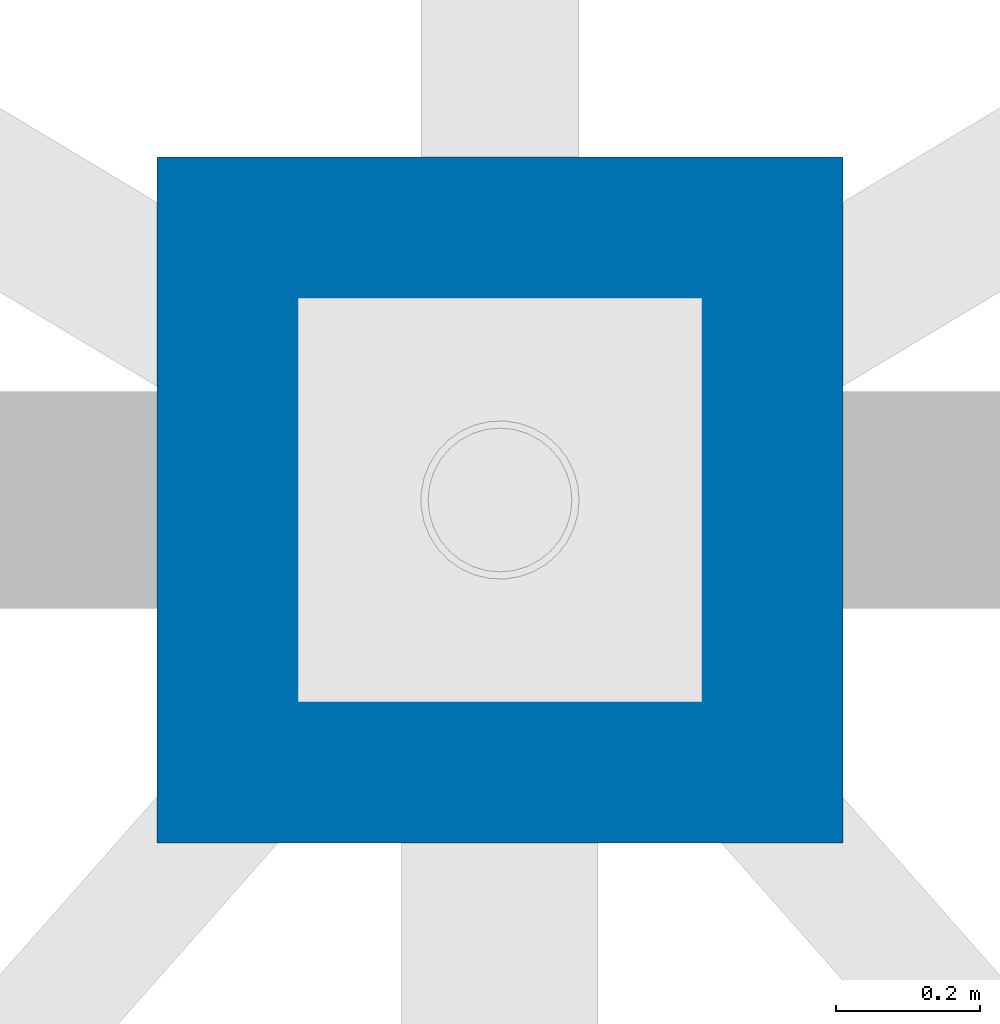
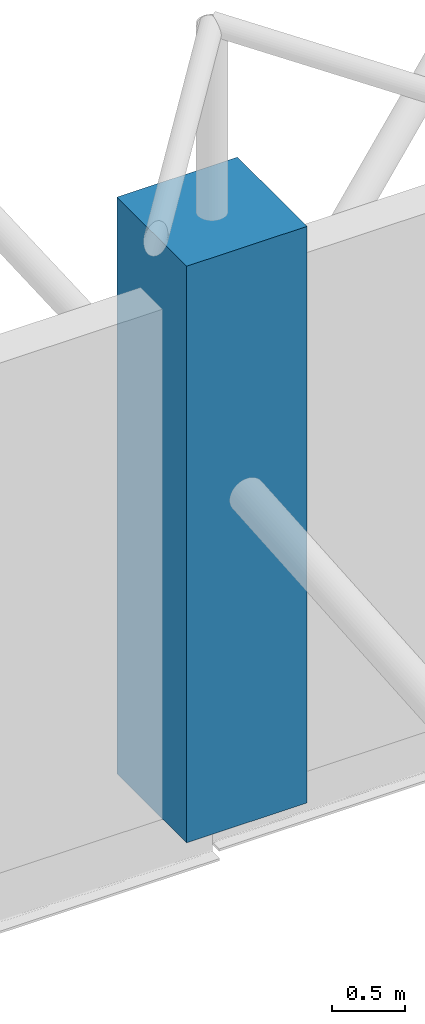
# One storey, part 7 of 224: 1 column.
"""IFC4 building model written with IfcOpenShell, lengths in metres."""

from ifc_helpers import new_model, si_unit, direction, frame, origin, origin_2d, place, context, subcontext, project, spatial, rectangle, extrude, material, material_profile, profile_set, type_object, element, save


model = new_model("IFC4")

# Units and contexts
model_context = context("Model", 3, precision=1e-05, world=origin(), true_north=direction((0.0, 1.0)))
body_context = subcontext(model_context, "Body", "Model", "MODEL_VIEW")
ifc_project = project(units=[si_unit("LENGTHUNIT", "METRE"), si_unit("AREAUNIT", "SQUARE_METRE"), si_unit("VOLUMEUNIT", "CUBIC_METRE"), si_unit("PLANEANGLEUNIT", "RADIAN"), si_unit("MASSUNIT", "GRAM", prefix="KILO")], contexts=[model_context])

# Site, building, storey
site_placement = place(None, origin())
site = spatial("IfcSite", under=ifc_project, at=site_placement, CompositionType="ELEMENT")
building_placement = place(site_placement, origin())
building = spatial("IfcBuilding", under=site, at=building_placement, Name="Qamarlyn Nura Convention Centre", CompositionType="ELEMENT")
storey_placement = place(building_placement, frame((0.0, 0.0, 10.800048828125)))
storey = spatial("IfcBuildingStorey", under=building, at=storey_placement, Name="L02", CompositionType="ELEMENT", Elevation=10.800048828125)

# Column
ifc_material = material(Name="Concrete C50/60", Category="concrete")
ifc_material_profile = material_profile(ifc_material, rectangle(XDim=0.949951171875, YDim=0.949951171875, at=origin_2d()), Name="RC 950x950")
ifc_profile_set = profile_set([ifc_material_profile], Name="Concrete C50/60")
column_type = type_object("IfcColumnType", Name="COL-HALL-2", PredefinedType="COLUMN", material=ifc_profile_set)
column_placement = place(storey_placement, frame((105.0, 103.0, 0.0), z_axis=(0.0, 0.0, 1.0), x_axis=(1.0, 0.0, 0.0)))
element("IfcColumn", 1, at=column_placement, inside=storey, type_object=column_type, Name="L02 column 8/M", PredefinedType="COLUMN", context=body_context, shape_type="SweptSolid", body=[
    extrude(rectangle(XDim=0.949951171875, YDim=0.949951171875, at=origin_2d()), origin(), (0.0, 0.0, 1.0), 4.800048828125),
])

save(model, "model.ifc")
